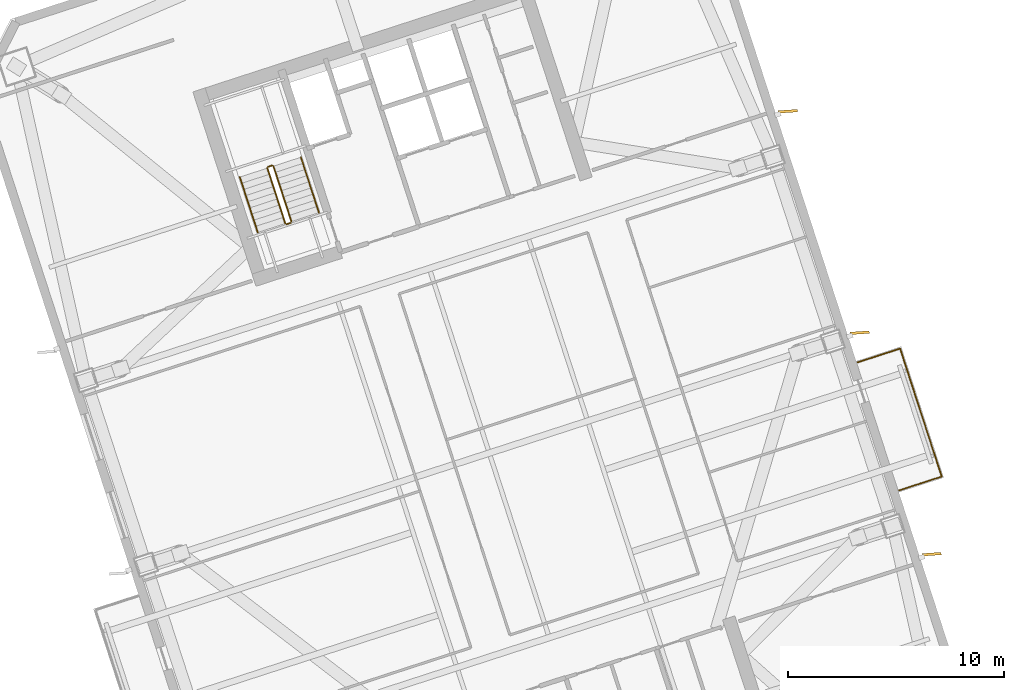
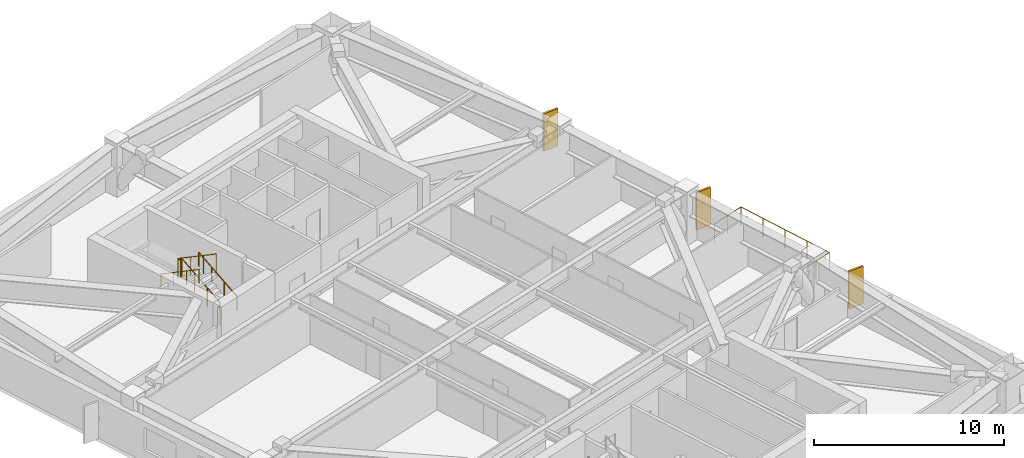
# One storey, part 17 of 17: 7 railings, 3 shading devices.
"""IFC4 building model written with IfcOpenShell, lengths in metres."""

from ifc_helpers import new_model, si_unit, direction, frame, origin, origin_2d, place, context, subcontext, project, spatial, rectangle, circle, extrude, material, layer, layer_set, type_object, element, save


model = new_model("IFC4")

# Units and contexts
model_context = context("Model", 3, precision=1e-05, world=origin(), true_north=direction((0.0, 1.0)))
body_context = subcontext(model_context, "Body", "Model", "MODEL_VIEW")
ifc_project = project(units=[si_unit("LENGTHUNIT", "METRE"), si_unit("AREAUNIT", "SQUARE_METRE"), si_unit("VOLUMEUNIT", "CUBIC_METRE"), si_unit("PLANEANGLEUNIT", "RADIAN"), si_unit("MASSUNIT", "GRAM", prefix="KILO")], contexts=[model_context])

# Site, building, storey
site_placement = place(None, origin())
site = spatial("IfcSite", under=ifc_project, at=site_placement, CompositionType="ELEMENT")
building_placement = place(site_placement, origin())
building = spatial("IfcBuilding", under=site, at=building_placement, Name="Qiaolan Cultural Towers", CompositionType="ELEMENT")
storey_placement = place(building_placement, frame((0.0, 0.0, 131.10009765625)))
storey = spatial("IfcBuildingStorey", under=building, at=storey_placement, Name="L34", CompositionType="ELEMENT", Elevation=131.10009765625)

# Railings
ifc_material_1 = material(Name="Laminated SentryGlas & Stainless Steel S31608 Balustrade", Category="steel")
railing_type_1 = type_object("IfcRailingType", Name="GRD-TERR-1200", PredefinedType="BALUSTRADE", material=ifc_material_1)
railing_1_placement = place(storey_placement, frame((109.014892578125, 32.271240234375, 0.0)))
element("IfcRailing", 1, at=railing_1_placement, inside=storey, type_object=railing_type_1, Name="L34 T2 Tree Balcony Guardrail E", PredefinedType="BALUSTRADE", context=body_context, shape_type="SweptSolid", body=[
    extrude(circle(Radius=0.02392578125, at=origin_2d()), frame((0.0, 0.0, 1.17578125), z_axis=(0.951061799618, 0.309000733507, 0.0), x_axis=(-0.309000733507, 0.951061799618, 0.0)), (0.0, 0.0, 1.0), 2.070068359375),
    extrude(circle(Radius=0.02392578125, at=origin_2d()), frame((1.96875, 0.6396484375, 1.17578125), z_axis=(-0.309047146287, 0.951046718817, 0.0), x_axis=(-0.951046718817, -0.309047146287, 0.0)), (0.0, 0.0, 1.0), 6.239990234375),
    extrude(circle(Radius=0.02392578125, at=origin_2d()), frame((0.040283203125, 6.57421875, 1.17578125), z_axis=(-0.951050536716, -0.309035397023, 0.0), x_axis=(0.309035397023, -0.951050536716, 0.0)), (0.0, 0.0, 1.0), 2.06982421875),
    extrude(circle(Radius=0.02099609375, at=origin_2d()), origin(), (0.0, 0.0, 1.0), 1.15185546875),
    extrude(circle(Radius=0.02099609375, at=origin_2d()), frame((0.984375, 0.31982421875, 0.0)), (0.0, 0.0, 1.0), 1.15185546875),
    extrude(circle(Radius=0.02099609375, at=origin_2d()), frame((1.96875, 0.6396484375, 0.0)), (0.0, 0.0, 1.0), 1.15185546875),
    extrude(circle(Radius=0.02099609375, at=origin_2d()), frame((1.486572265625, 2.123291015625, 0.0)), (0.0, 0.0, 1.0), 1.15185546875),
    extrude(circle(Radius=0.02099609375, at=origin_2d()), frame((1.00439453125, 3.60693359375, 0.0)), (0.0, 0.0, 1.0), 1.15185546875),
    extrude(circle(Radius=0.02099609375, at=origin_2d()), frame((0.5224609375, 5.090576171875, 0.0)), (0.0, 0.0, 1.0), 1.15185546875),
    extrude(circle(Radius=0.02099609375, at=origin_2d()), frame((0.040283203125, 6.57421875, 0.0)), (0.0, 0.0, 1.0), 1.15185546875),
    extrude(circle(Radius=0.02099609375, at=origin_2d()), frame((-0.94384765625, 6.25439453125, 0.0)), (0.0, 0.0, 1.0), 1.15185546875),
    extrude(circle(Radius=0.02099609375, at=origin_2d()), frame((-1.92822265625, 5.9345703125, 0.0)), (0.0, 0.0, 1.0), 1.15185546875),
])
ifc_material_2 = material(Name="Galvanized Painted Steel Stair Guardrail", Category="steel")
railing_type_2 = type_object("IfcRailingType", Name="RL-STAIR-GRD", PredefinedType="GUARDRAIL", material=ifc_material_2)
railing_2_placement = place(storey_placement, frame((80.822021484375, 44.739501953125, 0.17236328125)))
element("IfcRailing", 2, at=railing_2_placement, inside=storey, type_object=railing_type_2, Name="L34 ST-E2 stair guard 1", PredefinedType="GUARDRAIL", context=body_context, shape_type="SweptSolid", body=[
    extrude(circle(Radius=0.02392578125, at=origin_2d()), frame((0.0, 0.0, 1.17578125), z_axis=(-0.26785290645, 0.824488402118, 0.498471358535), x_axis=(-0.951069945308, -0.308975661068, 0.0)), (0.0, 0.0, 1.0), 3.114501953125),
    extrude(circle(Radius=0.02099609375, at=origin_2d()), origin(), (0.0, 0.0, 1.0), 1.15185546875),
    extrude(circle(Radius=0.02099609375, at=origin_2d()), frame((-0.278076171875, 0.85595703125, 0.517578125)), (0.0, 0.0, 1.0), 1.15185546875),
    extrude(circle(Radius=0.02099609375, at=origin_2d()), frame((-0.55615234375, 1.7119140625, 1.034912109375)), (0.0, 0.0, 1.0), 1.15185546875),
    extrude(circle(Radius=0.02099609375, at=origin_2d()), frame((-0.834228515625, 2.56787109375, 1.552490234375)), (0.0, 0.0, 1.0), 1.15185546875),
])
railing_3_placement = place(storey_placement, frame((79.9248046875, 47.33935546875, 1.724853515625)))
element("IfcRailing", 3, at=railing_3_placement, inside=storey, type_object=railing_type_2, Name="L34 ST-E2 stair guard 2", PredefinedType="GUARDRAIL", context=body_context, shape_type="SweptSolid", body=[
    extrude(circle(Radius=0.02392578125, at=origin_2d()), frame((0.0, 0.0, 1.17578125), z_axis=(-0.951096855055, -0.308892816854, 0.0), x_axis=(0.308892816854, -0.951096855055, 0.0)), (0.0, 0.0, 1.0), 0.199951171875),
    extrude(circle(Radius=0.02099609375, at=origin_2d()), origin(), (0.0, 0.0, 1.0), 1.15185546875),
    extrude(circle(Radius=0.02099609375, at=origin_2d()), frame((-0.190185546875, -0.061767578125, 0.0)), (0.0, 0.0, 1.0), 1.15185546875),
])
railing_4_placement = place(storey_placement, frame((79.702392578125, 47.214599609375, 1.8974609375)))
element("IfcRailing", 4, at=railing_4_placement, inside=storey, type_object=railing_type_2, Name="L34 ST-E2 stair guard 3", PredefinedType="GUARDRAIL", context=body_context, shape_type="SweptSolid", body=[
    extrude(circle(Radius=0.02392578125, at=origin_2d()), frame((0.0, 0.0, 1.17578125), z_axis=(0.267925668498, -0.824471088726, 0.498460891159), x_axis=(0.951043371037, 0.309057448393, 0.0)), (0.0, 0.0, 1.0), 3.114501953125),
    extrude(circle(Radius=0.02099609375, at=origin_2d()), origin(), (0.0, 0.0, 1.0), 1.15185546875),
    extrude(circle(Radius=0.02099609375, at=origin_2d()), frame((0.278076171875, -0.85595703125, 0.517578125)), (0.0, 0.0, 1.0), 1.15185546875),
    extrude(circle(Radius=0.02099609375, at=origin_2d()), frame((0.556396484375, -1.7119140625, 1.034912109375)), (0.0, 0.0, 1.0), 1.15185546875),
    extrude(circle(Radius=0.02099609375, at=origin_2d()), frame((0.83447265625, -2.56787109375, 1.552490234375)), (0.0, 0.0, 1.0), 1.15185546875),
])
railing_5_placement = place(storey_placement, frame((80.7900390625, 44.676513671875, 0.0)))
element("IfcRailing", 5, at=railing_5_placement, inside=storey, type_object=railing_type_2, Name="L34 ST-E2 stair guard 4", PredefinedType="GUARDRAIL", context=body_context, shape_type="SweptSolid", body=[
    extrude(circle(Radius=0.02392578125, at=origin_2d()), frame((0.0, 0.0, 1.17578125), z_axis=(-0.951096855055, -0.308892816854, 0.0), x_axis=(0.308892816854, -0.951096855055, 0.0)), (0.0, 0.0, 1.0), 0.199951171875),
    extrude(circle(Radius=0.02099609375, at=origin_2d()), origin(), (0.0, 0.0, 1.0), 1.15185546875),
    extrude(circle(Radius=0.02099609375, at=origin_2d()), frame((-0.190185546875, -0.061767578125, 0.0)), (0.0, 0.0, 1.0), 1.15185546875),
])
ifc_material_3 = material(Name="Stainless Steel S30408 Tubular Handrail", Category="steel")
railing_type_3 = type_object("IfcRailingType", Name="RL-STAIR-HR", PredefinedType="HANDRAIL", material=ifc_material_3)
railing_6_placement = place(storey_placement, frame((82.096435546875, 45.153564453125, 0.17236328125)))
element("IfcRailing", 6, at=railing_6_placement, inside=storey, type_object=railing_type_3, Name="L34 ST-E2 stair handrail 1", PredefinedType="HANDRAIL", context=body_context, shape_type="SweptSolid", body=[
    extrude(circle(Radius=0.02392578125, at=origin_2d()), frame((0.0, 0.0, 0.8759765625), z_axis=(-0.26785290645, 0.824488402118, 0.498471358535), x_axis=(-0.951069945308, -0.308975661068, 0.0)), (0.0, 0.0, 1.0), 3.114501953125),
    extrude(circle(Radius=0.02099609375, at=origin_2d()), origin(), (0.0, 0.0, 1.0), 0.851806640625),
    extrude(circle(Radius=0.02099609375, at=origin_2d()), frame((-0.278076171875, 0.85595703125, 0.517578125)), (0.0, 0.0, 1.0), 0.851806640625),
    extrude(circle(Radius=0.02099609375, at=origin_2d()), frame((-0.55615234375, 1.7119140625, 1.034912109375)), (0.0, 0.0, 1.0), 0.851806640625),
    extrude(circle(Radius=0.02099609375, at=origin_2d()), frame((-0.834228515625, 2.56787109375, 1.552490234375)), (0.0, 0.0, 1.0), 0.851806640625),
])
railing_7_placement = place(storey_placement, frame((78.427978515625, 46.800537109375, 1.8974609375)))
element("IfcRailing", 7, at=railing_7_placement, inside=storey, type_object=railing_type_3, Name="L34 ST-E2 stair handrail 2", PredefinedType="HANDRAIL", context=body_context, shape_type="SweptSolid", body=[
    extrude(circle(Radius=0.02392578125, at=origin_2d()), frame((0.0, 0.0, 0.8759765625), z_axis=(0.267925668498, -0.824471088726, 0.498460891159), x_axis=(0.951043371037, 0.309057448393, 0.0)), (0.0, 0.0, 1.0), 3.114501953125),
    extrude(circle(Radius=0.02099609375, at=origin_2d()), origin(), (0.0, 0.0, 1.0), 0.851806640625),
    extrude(circle(Radius=0.02099609375, at=origin_2d()), frame((0.278076171875, -0.85595703125, 0.517578125)), (0.0, 0.0, 1.0), 0.851806640625),
    extrude(circle(Radius=0.02099609375, at=origin_2d()), frame((0.556396484375, -1.7119140625, 1.034912109375)), (0.0, 0.0, 1.0), 0.851806640625),
    extrude(circle(Radius=0.02099609375, at=origin_2d()), frame((0.83447265625, -2.56787109375, 1.552490234375)), (0.0, 0.0, 1.0), 0.851806640625),
])

# Shading devices
ifc_material_4 = material(Name="Pierced Warm Terracotta Acoustic Fin", Category="masonry")
ifc_layer = layer(ifc_material_4, 0.1201171875)
ifc_layer_set = layer_set([ifc_layer], Name="Pierced Warm Terracotta Acoustic Fin")
shading_device_type = type_object("IfcShadingDeviceType", Name="SHD-FIN-PIERCED", PredefinedType="USERDEFINED", material=ifc_layer_set)
for number, where, z_axis, x_axis, name in (
    (8, (110.513427734375, 29.309326171875, 0.10009765625), (0.0, 0.0, 1.0), (0.997678801929, 0.068095581214, 0.0), "L34 T2 Expressive Precast Vertical Fin E1"),
    (9, (107.176025390625, 39.580810546875, 0.10009765625), (0.0, 0.0, 1.0), (0.997678801929, 0.068095581214, 0.0), "L34 T2 Expressive Precast Vertical Fin E2"),
    (10, (103.838623046875, 49.852294921875, 0.10009765625), (0.0, 0.0, 1.0), (0.997678801929, 0.068095581214, 0.0), "L34 T2 Expressive Precast Vertical Fin E3"),
):
    element("IfcShadingDevice", number, at=place(storey_placement, frame(where, z_axis=z_axis, x_axis=x_axis)), inside=storey, type_object=shading_device_type, Name=name, ObjectType="FIN", PredefinedType="USERDEFINED", context=body_context, shape_type="SweptSolid", body=[
        extrude(rectangle(XDim=0.89990234375, YDim=0.1201171875, at=origin_2d()), origin(), (0.0, 0.0, 1.0), 2.409912109375),
    ])

save(model, "model.ifc")
